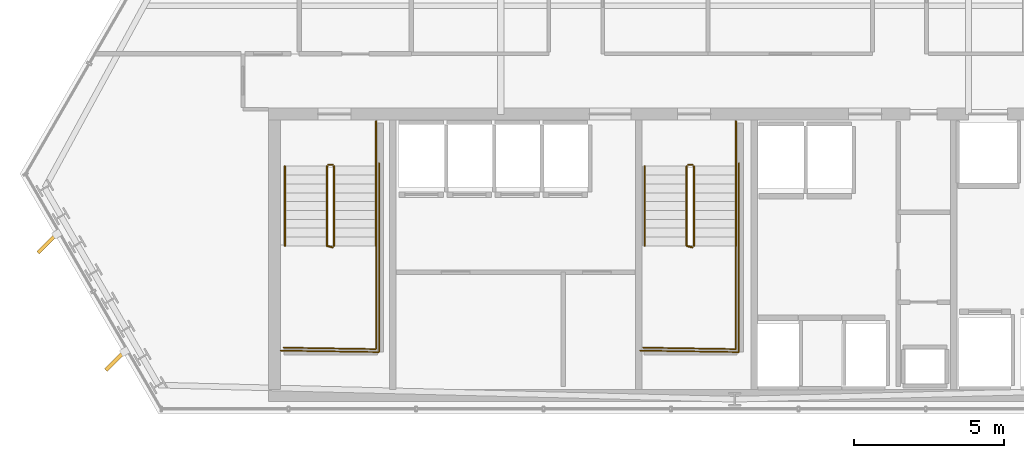
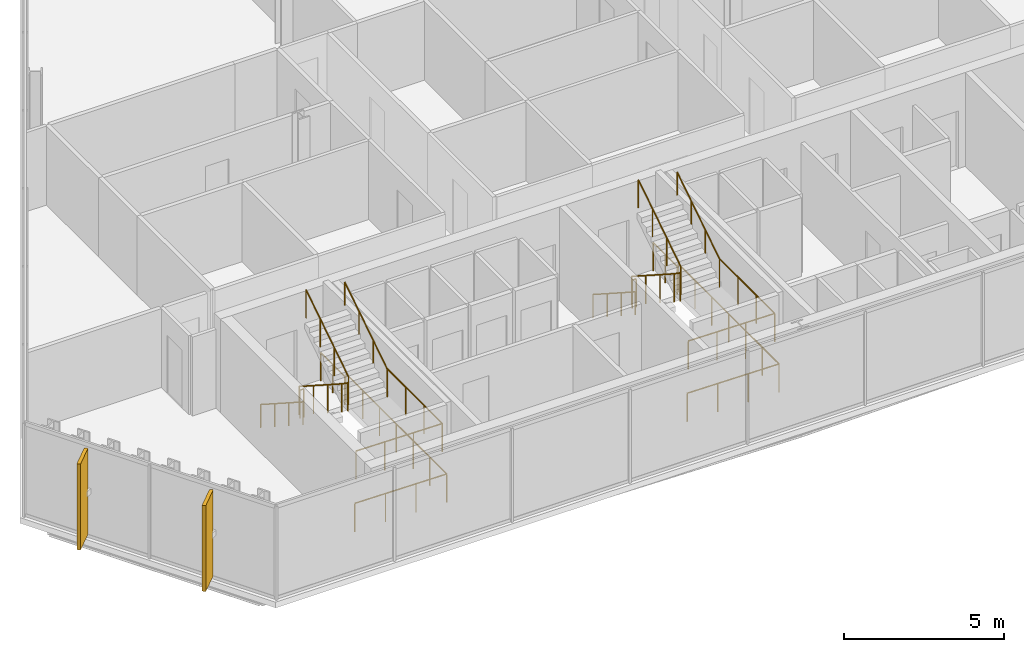
# One storey, part 31 of 34: 16 railings, 2 shading devices.
"""IFC4 building model written with IfcOpenShell, lengths in metres."""

from ifc_helpers import new_model, si_unit, direction, frame, origin, origin_2d, place, context, subcontext, project, spatial, rectangle, circle, extrude, material, layer, layer_set, type_object, element, save


model = new_model("IFC4")

# Units and contexts
model_context = context("Model", 3, precision=1e-05, world=origin(), true_north=direction((0.0, 1.0)))
body_context = subcontext(model_context, "Body", "Model", "MODEL_VIEW")
ifc_project = project(units=[si_unit("LENGTHUNIT", "METRE"), si_unit("AREAUNIT", "SQUARE_METRE"), si_unit("VOLUMEUNIT", "CUBIC_METRE"), si_unit("PLANEANGLEUNIT", "RADIAN"), si_unit("MASSUNIT", "GRAM", prefix="KILO")], contexts=[model_context])

# Site, building, storey
site_placement = place(None, origin())
site = spatial("IfcSite", under=ifc_project, at=site_placement, CompositionType="ELEMENT")
building_placement = place(site_placement, origin())
building = spatial("IfcBuilding", under=site, at=building_placement, Name="Ndaravel Arena Tower", CompositionType="ELEMENT")
storey_placement = place(building_placement, frame((0.0, 0.0, 195.39990234375)))
storey = spatial("IfcBuildingStorey", under=building, at=storey_placement, Name="L47", CompositionType="ELEMENT", Elevation=195.39990234375)

# Railings
ifc_material_1 = material(Name="Steel S355", Category="steel")
ifc_layer_1 = layer(ifc_material_1, 0.06005859375)
ifc_layer_set_1 = layer_set([ifc_layer_1], Name="Steel S355")
railing_type_1 = type_object("IfcRailingType", Name="RAIL-STAIR-GD1100", PredefinedType="GUARDRAIL", material=ifc_layer_set_1)
railing_1_placement = place(storey_placement, frame((28.39990234375, 13.25, 0.190185546875)))
element("IfcRailing", 1, at=railing_1_placement, inside=storey, type_object=railing_type_1, Name="L47 ST-1 stair guard 1", PredefinedType="GUARDRAIL", context=body_context, shape_type="SweptSolid", body=[
    extrude(circle(Radius=0.02392578125, at=origin_2d()), frame((0.0, 0.0, 1.076171875), z_axis=(0.0, -0.840723540582, 0.54146461409), x_axis=(1.0, 0.0, 0.0)), (0.0, 0.0, 1.0), 3.157958984375),
    extrude(circle(Radius=0.02392578125, at=origin_2d()), frame((0.0, -2.655029296875, 2.7861328125), z_axis=(0.967074537263, -0.25449329928, 0.0), x_axis=(0.25449329928, 0.967074537263, 0.0)), (0.0, 0.0, 1.0), 0.19677734375),
    extrude(circle(Radius=0.02099609375, at=origin_2d()), origin(), (0.0, 0.0, 1.0), 1.052001953125),
    extrude(circle(Radius=0.02099609375, at=origin_2d()), frame((0.0, -0.885009765625, 0.570068359375)), (0.0, 0.0, 1.0), 1.052001953125),
    extrude(circle(Radius=0.02099609375, at=origin_2d()), frame((0.0, -1.77001953125, 1.139892578125)), (0.0, 0.0, 1.0), 1.052001953125),
    extrude(circle(Radius=0.02099609375, at=origin_2d()), frame((0.0, -2.655029296875, 1.7099609375)), (0.0, 0.0, 1.0), 1.052001953125),
    extrude(circle(Radius=0.02099609375, at=origin_2d()), frame((0.190185546875, -2.705078125, 1.7099609375)), (0.0, 0.0, 1.0), 1.052001953125),
])
railing_2_placement = place(storey_placement, frame((30.0400390625, 10.594970703125, 1.900146484375)))
element("IfcRailing", 2, at=railing_2_placement, inside=storey, type_object=railing_type_1, Name="L47 ST-1 stair guard 2", PredefinedType="GUARDRAIL", context=body_context, shape_type="SweptSolid", body=[
    extrude(circle(Radius=0.02392578125, at=origin_2d()), frame((0.0, 0.0, 1.076171875), z_axis=(0.0, -1.0, 0.0), x_axis=(1.0, 0.0, 0.0)), (0.0, 0.0, 1.0), 3.445068359375),
    extrude(circle(Radius=0.02392578125, at=origin_2d()), frame((0.0, -3.445068359375, 1.076171875), z_axis=(-0.999868861343, 0.016194447071, 0.0), x_axis=(-0.016194447071, -0.999868861343, 0.0)), (0.0, 0.0, 1.0), 3.090576171875),
    extrude(circle(Radius=0.02099609375, at=origin_2d()), origin(), (0.0, 0.0, 1.0), 1.052001953125),
    extrude(circle(Radius=0.02099609375, at=origin_2d()), frame((0.0, -1.1484375, 0.0)), (0.0, 0.0, 1.0), 1.052001953125),
    extrude(circle(Radius=0.02099609375, at=origin_2d()), frame((0.0, -2.296630859375, 0.0)), (0.0, 0.0, 1.0), 1.052001953125),
    extrude(circle(Radius=0.02099609375, at=origin_2d()), frame((0.0, -3.445068359375, 0.0)), (0.0, 0.0, 1.0), 1.052001953125),
    extrude(circle(Radius=0.02099609375, at=origin_2d()), frame((-1.030029296875, -3.428466796875, 0.0)), (0.0, 0.0, 1.0), 1.052001953125),
    extrude(circle(Radius=0.02099609375, at=origin_2d()), frame((-2.06005859375, -3.41162109375, 0.0)), (0.0, 0.0, 1.0), 1.052001953125),
    extrude(circle(Radius=0.02099609375, at=origin_2d()), frame((-3.090087890625, -3.39501953125, 0.0)), (0.0, 0.0, 1.0), 1.052001953125),
])
railing_3_placement = place(storey_placement, frame((28.639892578125, 10.594970703125, 2.090087890625)))
element("IfcRailing", 3, at=railing_3_placement, inside=storey, type_object=railing_type_1, Name="L47 ST-1 stair guard 3", PredefinedType="GUARDRAIL", context=body_context, shape_type="SweptSolid", body=[
    extrude(circle(Radius=0.02392578125, at=origin_2d()), frame((0.0, 0.0, 1.076171875), z_axis=(0.0, 0.840723540582, 0.54146461409), x_axis=(-1.0, 0.0, 0.0)), (0.0, 0.0, 1.0), 3.157958984375),
    extrude(circle(Radius=0.02099609375, at=origin_2d()), origin(), (0.0, 0.0, 1.0), 1.052001953125),
    extrude(circle(Radius=0.02099609375, at=origin_2d()), frame((0.0, 0.885009765625, 0.570068359375)), (0.0, 0.0, 1.0), 1.052001953125),
    extrude(circle(Radius=0.02099609375, at=origin_2d()), frame((0.0, 1.77001953125, 1.139892578125)), (0.0, 0.0, 1.0), 1.052001953125),
    extrude(circle(Radius=0.02099609375, at=origin_2d()), frame((0.0, 2.655029296875, 1.7099609375)), (0.0, 0.0, 1.0), 1.052001953125),
])
railing_4_placement = place(storey_placement, frame((28.449951171875, 13.300048828125, 0.0)))
element("IfcRailing", 4, at=railing_4_placement, inside=storey, type_object=railing_type_1, Name="L47 ST-1 stair guard 4", PredefinedType="GUARDRAIL", context=body_context, shape_type="SweptSolid", body=[
    extrude(circle(Radius=0.02392578125, at=origin_2d()), frame((0.0, 0.0, 1.076171875), z_axis=(1.0, 0.0, 0.0), x_axis=(0.0, 1.0, 0.0)), (0.0, 0.0, 1.0), 0.14013671875),
    extrude(circle(Radius=0.02099609375, at=origin_2d()), origin(), (0.0, 0.0, 1.0), 1.052001953125),
    extrude(circle(Radius=0.02099609375, at=origin_2d()), frame((0.14013671875, 0.0, 0.0)), (0.0, 0.0, 1.0), 1.052001953125),
])
railing_5_placement = place(storey_placement, frame((30.0400390625, 14.75, 0.0)))
element("IfcRailing", 5, at=railing_5_placement, inside=storey, type_object=railing_type_1, Name="L47 ST-1 stair guard 5", PredefinedType="GUARDRAIL", context=body_context, shape_type="SweptSolid", body=[
    extrude(circle(Radius=0.02392578125, at=origin_2d()), frame((0.0, 0.0, 1.076171875), z_axis=(0.0, -1.0, 0.0), x_axis=(1.0, 0.0, 0.0)), (0.0, 0.0, 1.0), 1.5),
    extrude(circle(Radius=0.02099609375, at=origin_2d()), origin(), (0.0, 0.0, 1.0), 1.052001953125),
    extrude(circle(Radius=0.02099609375, at=origin_2d()), frame((0.0, -0.75, 0.0)), (0.0, 0.0, 1.0), 1.052001953125),
    extrude(circle(Radius=0.02099609375, at=origin_2d()), frame((0.0, -1.5, 0.0)), (0.0, 0.0, 1.0), 1.052001953125),
])
railing_6_placement = place(storey_placement, frame((30.139892578125, 13.35009765625, 0.0)))
element("IfcRailing", 6, at=railing_6_placement, inside=storey, type_object=railing_type_1, Name="L47 ST-1 stair guard 6", PredefinedType="GUARDRAIL", context=body_context, shape_type="SweptSolid", body=[
    extrude(circle(Radius=0.02392578125, at=origin_2d()), frame((0.0, 0.0, 1.076171875), z_axis=(0.0, -1.0, 0.0), x_axis=(1.0, 0.0, 0.0)), (0.0, 0.0, 1.0), 6.300048828125),
    extrude(circle(Radius=0.02392578125, at=origin_2d()), frame((0.0, -6.300048828125, 1.076171875), z_axis=(-0.999884296952, 0.015211597839, 0.0), x_axis=(-0.015211597839, -0.999884296952, 0.0)), (0.0, 0.0, 1.0), 3.290283203125),
    extrude(circle(Radius=0.02099609375, at=origin_2d()), origin(), (0.0, 0.0, 1.0), 1.052001953125),
    extrude(circle(Radius=0.02099609375, at=origin_2d()), frame((0.0, -1.050048828125, 0.0)), (0.0, 0.0, 1.0), 1.052001953125),
    extrude(circle(Radius=0.02099609375, at=origin_2d()), frame((0.0, -2.10009765625, 0.0)), (0.0, 0.0, 1.0), 1.052001953125),
    extrude(circle(Radius=0.02099609375, at=origin_2d()), frame((0.0, -3.14990234375, 0.0)), (0.0, 0.0, 1.0), 1.052001953125),
    extrude(circle(Radius=0.02099609375, at=origin_2d()), frame((0.0, -4.199951171875, 0.0)), (0.0, 0.0, 1.0), 1.052001953125),
    extrude(circle(Radius=0.02099609375, at=origin_2d()), frame((0.0, -5.25, 0.0)), (0.0, 0.0, 1.0), 1.052001953125),
    extrude(circle(Radius=0.02099609375, at=origin_2d()), frame((0.0, -6.300048828125, 0.0)), (0.0, 0.0, 1.0), 1.052001953125),
    extrude(circle(Radius=0.02099609375, at=origin_2d()), frame((-1.0966796875, -6.283447265625, 0.0)), (0.0, 0.0, 1.0), 1.052001953125),
    extrude(circle(Radius=0.02099609375, at=origin_2d()), frame((-2.193115234375, -6.2666015625, 0.0)), (0.0, 0.0, 1.0), 1.052001953125),
    extrude(circle(Radius=0.02099609375, at=origin_2d()), frame((-3.289794921875, -6.25, 0.0)), (0.0, 0.0, 1.0), 1.052001953125),
])
railing_7_placement = place(storey_placement, frame((40.39990234375, 13.25, 0.190185546875)))
element("IfcRailing", 7, at=railing_7_placement, inside=storey, type_object=railing_type_1, Name="L47 ST-2 stair guard 1", PredefinedType="GUARDRAIL", context=body_context, shape_type="SweptSolid", body=[
    extrude(circle(Radius=0.02392578125, at=origin_2d()), frame((0.0, 0.0, 1.076171875), z_axis=(0.0, -0.840723540582, 0.54146461409), x_axis=(1.0, 0.0, 0.0)), (0.0, 0.0, 1.0), 3.157958984375),
    extrude(circle(Radius=0.02392578125, at=origin_2d()), frame((0.0, -2.655029296875, 2.7861328125), z_axis=(0.967074537263, -0.25449329928, 0.0), x_axis=(0.25449329928, 0.967074537263, 0.0)), (0.0, 0.0, 1.0), 0.19677734375),
    extrude(circle(Radius=0.02099609375, at=origin_2d()), origin(), (0.0, 0.0, 1.0), 1.052001953125),
    extrude(circle(Radius=0.02099609375, at=origin_2d()), frame((0.0, -0.885009765625, 0.570068359375)), (0.0, 0.0, 1.0), 1.052001953125),
    extrude(circle(Radius=0.02099609375, at=origin_2d()), frame((0.0, -1.77001953125, 1.139892578125)), (0.0, 0.0, 1.0), 1.052001953125),
    extrude(circle(Radius=0.02099609375, at=origin_2d()), frame((0.0, -2.655029296875, 1.7099609375)), (0.0, 0.0, 1.0), 1.052001953125),
    extrude(circle(Radius=0.02099609375, at=origin_2d()), frame((0.190185546875, -2.705078125, 1.7099609375)), (0.0, 0.0, 1.0), 1.052001953125),
])
railing_8_placement = place(storey_placement, frame((42.0400390625, 10.594970703125, 1.900146484375)))
element("IfcRailing", 8, at=railing_8_placement, inside=storey, type_object=railing_type_1, Name="L47 ST-2 stair guard 2", PredefinedType="GUARDRAIL", context=body_context, shape_type="SweptSolid", body=[
    extrude(circle(Radius=0.02392578125, at=origin_2d()), frame((0.0, 0.0, 1.076171875), z_axis=(0.0, -1.0, 0.0), x_axis=(1.0, 0.0, 0.0)), (0.0, 0.0, 1.0), 3.445068359375),
    extrude(circle(Radius=0.02392578125, at=origin_2d()), frame((0.0, -3.445068359375, 1.076171875), z_axis=(-0.999868861343, 0.016194447071, 0.0), x_axis=(-0.016194447071, -0.999868861343, 0.0)), (0.0, 0.0, 1.0), 3.090576171875),
    extrude(circle(Radius=0.02099609375, at=origin_2d()), origin(), (0.0, 0.0, 1.0), 1.052001953125),
    extrude(circle(Radius=0.02099609375, at=origin_2d()), frame((0.0, -1.1484375, 0.0)), (0.0, 0.0, 1.0), 1.052001953125),
    extrude(circle(Radius=0.02099609375, at=origin_2d()), frame((0.0, -2.296630859375, 0.0)), (0.0, 0.0, 1.0), 1.052001953125),
    extrude(circle(Radius=0.02099609375, at=origin_2d()), frame((0.0, -3.445068359375, 0.0)), (0.0, 0.0, 1.0), 1.052001953125),
    extrude(circle(Radius=0.02099609375, at=origin_2d()), frame((-1.030029296875, -3.428466796875, 0.0)), (0.0, 0.0, 1.0), 1.052001953125),
    extrude(circle(Radius=0.02099609375, at=origin_2d()), frame((-2.06005859375, -3.41162109375, 0.0)), (0.0, 0.0, 1.0), 1.052001953125),
    extrude(circle(Radius=0.02099609375, at=origin_2d()), frame((-3.090087890625, -3.39501953125, 0.0)), (0.0, 0.0, 1.0), 1.052001953125),
])
railing_9_placement = place(storey_placement, frame((40.639892578125, 10.594970703125, 2.090087890625)))
element("IfcRailing", 9, at=railing_9_placement, inside=storey, type_object=railing_type_1, Name="L47 ST-2 stair guard 3", PredefinedType="GUARDRAIL", context=body_context, shape_type="SweptSolid", body=[
    extrude(circle(Radius=0.02392578125, at=origin_2d()), frame((0.0, 0.0, 1.076171875), z_axis=(0.0, 0.840723540582, 0.54146461409), x_axis=(-1.0, 0.0, 0.0)), (0.0, 0.0, 1.0), 3.157958984375),
    extrude(circle(Radius=0.02099609375, at=origin_2d()), origin(), (0.0, 0.0, 1.0), 1.052001953125),
    extrude(circle(Radius=0.02099609375, at=origin_2d()), frame((0.0, 0.885009765625, 0.570068359375)), (0.0, 0.0, 1.0), 1.052001953125),
    extrude(circle(Radius=0.02099609375, at=origin_2d()), frame((0.0, 1.77001953125, 1.139892578125)), (0.0, 0.0, 1.0), 1.052001953125),
    extrude(circle(Radius=0.02099609375, at=origin_2d()), frame((0.0, 2.655029296875, 1.7099609375)), (0.0, 0.0, 1.0), 1.052001953125),
])
railing_10_placement = place(storey_placement, frame((40.449951171875, 13.300048828125, 0.0)))
element("IfcRailing", 10, at=railing_10_placement, inside=storey, type_object=railing_type_1, Name="L47 ST-2 stair guard 4", PredefinedType="GUARDRAIL", context=body_context, shape_type="SweptSolid", body=[
    extrude(circle(Radius=0.02392578125, at=origin_2d()), frame((0.0, 0.0, 1.076171875), z_axis=(1.0, 0.0, 0.0), x_axis=(0.0, 1.0, 0.0)), (0.0, 0.0, 1.0), 0.14013671875),
    extrude(circle(Radius=0.02099609375, at=origin_2d()), origin(), (0.0, 0.0, 1.0), 1.052001953125),
    extrude(circle(Radius=0.02099609375, at=origin_2d()), frame((0.14013671875, 0.0, 0.0)), (0.0, 0.0, 1.0), 1.052001953125),
])
railing_11_placement = place(storey_placement, frame((42.0400390625, 14.75, 0.0)))
element("IfcRailing", 11, at=railing_11_placement, inside=storey, type_object=railing_type_1, Name="L47 ST-2 stair guard 5", PredefinedType="GUARDRAIL", context=body_context, shape_type="SweptSolid", body=[
    extrude(circle(Radius=0.02392578125, at=origin_2d()), frame((0.0, 0.0, 1.076171875), z_axis=(0.0, -1.0, 0.0), x_axis=(1.0, 0.0, 0.0)), (0.0, 0.0, 1.0), 1.5),
    extrude(circle(Radius=0.02099609375, at=origin_2d()), origin(), (0.0, 0.0, 1.0), 1.052001953125),
    extrude(circle(Radius=0.02099609375, at=origin_2d()), frame((0.0, -0.75, 0.0)), (0.0, 0.0, 1.0), 1.052001953125),
    extrude(circle(Radius=0.02099609375, at=origin_2d()), frame((0.0, -1.5, 0.0)), (0.0, 0.0, 1.0), 1.052001953125),
])
railing_12_placement = place(storey_placement, frame((42.139892578125, 13.35009765625, 0.0)))
element("IfcRailing", 12, at=railing_12_placement, inside=storey, type_object=railing_type_1, Name="L47 ST-2 stair guard 6", PredefinedType="GUARDRAIL", context=body_context, shape_type="SweptSolid", body=[
    extrude(circle(Radius=0.02392578125, at=origin_2d()), frame((0.0, 0.0, 1.076171875), z_axis=(0.0, -1.0, 0.0), x_axis=(1.0, 0.0, 0.0)), (0.0, 0.0, 1.0), 6.300048828125),
    extrude(circle(Radius=0.02392578125, at=origin_2d()), frame((0.0, -6.300048828125, 1.076171875), z_axis=(-0.999884296952, 0.015211597839, 0.0), x_axis=(-0.015211597839, -0.999884296952, 0.0)), (0.0, 0.0, 1.0), 3.290283203125),
    extrude(circle(Radius=0.02099609375, at=origin_2d()), origin(), (0.0, 0.0, 1.0), 1.052001953125),
    extrude(circle(Radius=0.02099609375, at=origin_2d()), frame((0.0, -1.050048828125, 0.0)), (0.0, 0.0, 1.0), 1.052001953125),
    extrude(circle(Radius=0.02099609375, at=origin_2d()), frame((0.0, -2.10009765625, 0.0)), (0.0, 0.0, 1.0), 1.052001953125),
    extrude(circle(Radius=0.02099609375, at=origin_2d()), frame((0.0, -3.14990234375, 0.0)), (0.0, 0.0, 1.0), 1.052001953125),
    extrude(circle(Radius=0.02099609375, at=origin_2d()), frame((0.0, -4.199951171875, 0.0)), (0.0, 0.0, 1.0), 1.052001953125),
    extrude(circle(Radius=0.02099609375, at=origin_2d()), frame((0.0, -5.25, 0.0)), (0.0, 0.0, 1.0), 1.052001953125),
    extrude(circle(Radius=0.02099609375, at=origin_2d()), frame((0.0, -6.300048828125, 0.0)), (0.0, 0.0, 1.0), 1.052001953125),
    extrude(circle(Radius=0.02099609375, at=origin_2d()), frame((-1.0966796875, -6.283447265625, 0.0)), (0.0, 0.0, 1.0), 1.052001953125),
    extrude(circle(Radius=0.02099609375, at=origin_2d()), frame((-2.193115234375, -6.2666015625, 0.0)), (0.0, 0.0, 1.0), 1.052001953125),
    extrude(circle(Radius=0.02099609375, at=origin_2d()), frame((-3.289794921875, -6.25, 0.0)), (0.0, 0.0, 1.0), 1.052001953125),
])
ifc_material_2 = material(Name="Steel S355", Category="steel")
ifc_layer_2 = layer(ifc_material_2, 0.050048828125)
ifc_layer_set_2 = layer_set([ifc_layer_2], Name="Steel S355")
railing_type_2 = type_object("IfcRailingType", Name="RAIL-STAIR-HR920", PredefinedType="HANDRAIL", material=ifc_layer_set_2)
railing_13_placement = place(storey_placement, frame((27.0, 13.25, 0.190185546875)))
element("IfcRailing", 13, at=railing_13_placement, inside=storey, type_object=railing_type_2, Name="L47 ST-1 stair handrail 1", PredefinedType="HANDRAIL", context=body_context, shape_type="SweptSolid", body=[
    extrude(circle(Radius=0.02392578125, at=origin_2d()), frame((0.0, 0.0, 0.8759765625), z_axis=(0.0, -0.840723540582, 0.54146461409), x_axis=(1.0, 0.0, 0.0)), (0.0, 0.0, 1.0), 3.157958984375),
    extrude(circle(Radius=0.02099609375, at=origin_2d()), origin(), (0.0, 0.0, 1.0), 0.851806640625),
    extrude(circle(Radius=0.02099609375, at=origin_2d()), frame((0.0, -0.885009765625, 0.570068359375)), (0.0, 0.0, 1.0), 0.851806640625),
    extrude(circle(Radius=0.02099609375, at=origin_2d()), frame((0.0, -1.77001953125, 1.139892578125)), (0.0, 0.0, 1.0), 0.851806640625),
    extrude(circle(Radius=0.02099609375, at=origin_2d()), frame((0.0, -2.655029296875, 1.7099609375)), (0.0, 0.0, 1.0), 0.851806640625),
])
railing_14_placement = place(storey_placement, frame((30.0400390625, 10.594970703125, 2.090087890625)))
element("IfcRailing", 14, at=railing_14_placement, inside=storey, type_object=railing_type_2, Name="L47 ST-1 stair handrail 2", PredefinedType="HANDRAIL", context=body_context, shape_type="SweptSolid", body=[
    extrude(circle(Radius=0.02392578125, at=origin_2d()), frame((0.0, 0.0, 0.8759765625), z_axis=(0.0, 0.840723540582, 0.54146461409), x_axis=(-1.0, 0.0, 0.0)), (0.0, 0.0, 1.0), 3.157958984375),
    extrude(circle(Radius=0.02099609375, at=origin_2d()), origin(), (0.0, 0.0, 1.0), 0.851806640625),
    extrude(circle(Radius=0.02099609375, at=origin_2d()), frame((0.0, 0.885009765625, 0.570068359375)), (0.0, 0.0, 1.0), 0.851806640625),
    extrude(circle(Radius=0.02099609375, at=origin_2d()), frame((0.0, 1.77001953125, 1.139892578125)), (0.0, 0.0, 1.0), 0.851806640625),
    extrude(circle(Radius=0.02099609375, at=origin_2d()), frame((0.0, 2.655029296875, 1.7099609375)), (0.0, 0.0, 1.0), 0.851806640625),
])
railing_15_placement = place(storey_placement, frame((39.0, 13.25, 0.190185546875)))
element("IfcRailing", 15, at=railing_15_placement, inside=storey, type_object=railing_type_2, Name="L47 ST-2 stair handrail 1", PredefinedType="HANDRAIL", context=body_context, shape_type="SweptSolid", body=[
    extrude(circle(Radius=0.02392578125, at=origin_2d()), frame((0.0, 0.0, 0.8759765625), z_axis=(0.0, -0.840723540582, 0.54146461409), x_axis=(1.0, 0.0, 0.0)), (0.0, 0.0, 1.0), 3.157958984375),
    extrude(circle(Radius=0.02099609375, at=origin_2d()), origin(), (0.0, 0.0, 1.0), 0.851806640625),
    extrude(circle(Radius=0.02099609375, at=origin_2d()), frame((0.0, -0.885009765625, 0.570068359375)), (0.0, 0.0, 1.0), 0.851806640625),
    extrude(circle(Radius=0.02099609375, at=origin_2d()), frame((0.0, -1.77001953125, 1.139892578125)), (0.0, 0.0, 1.0), 0.851806640625),
    extrude(circle(Radius=0.02099609375, at=origin_2d()), frame((0.0, -2.655029296875, 1.7099609375)), (0.0, 0.0, 1.0), 0.851806640625),
])
railing_16_placement = place(storey_placement, frame((42.0400390625, 10.594970703125, 2.090087890625)))
element("IfcRailing", 16, at=railing_16_placement, inside=storey, type_object=railing_type_2, Name="L47 ST-2 stair handrail 2", PredefinedType="HANDRAIL", context=body_context, shape_type="SweptSolid", body=[
    extrude(circle(Radius=0.02392578125, at=origin_2d()), frame((0.0, 0.0, 0.8759765625), z_axis=(0.0, 0.840723540582, 0.54146461409), x_axis=(-1.0, 0.0, 0.0)), (0.0, 0.0, 1.0), 3.157958984375),
    extrude(circle(Radius=0.02099609375, at=origin_2d()), origin(), (0.0, 0.0, 1.0), 0.851806640625),
    extrude(circle(Radius=0.02099609375, at=origin_2d()), frame((0.0, 0.885009765625, 0.570068359375)), (0.0, 0.0, 1.0), 0.851806640625),
    extrude(circle(Radius=0.02099609375, at=origin_2d()), frame((0.0, 1.77001953125, 1.139892578125)), (0.0, 0.0, 1.0), 0.851806640625),
    extrude(circle(Radius=0.02099609375, at=origin_2d()), frame((0.0, 2.655029296875, 1.7099609375)), (0.0, 0.0, 1.0), 0.851806640625),
])

# Shading devices
ifc_material_3 = material(Name="Masonry", Category="masonry")
shading_device_type = type_object("IfcShadingDeviceType", Name="SHD-MAZERAS-FIN", PredefinedType="SHUTTER", material=ifc_material_3)
for number, where, z_axis, x_axis, name in (
    (17, (19.08251953125, 10.682861328125, 0.14990234375), (0.0, 0.0, 1.0), (-0.707106781187, -0.707106781187, 0.0), "L47 Mazeras Stone Solar Fin E6.1"),
    (18, (21.343994140625, 6.765869140625, 0.14990234375), (0.0, 0.0, 1.0), (-0.707106781187, -0.707106781187, 0.0), "L47 Mazeras Stone Solar Fin E6.2"),
):
    element("IfcShadingDevice", number, at=place(storey_placement, frame(where, z_axis=z_axis, x_axis=x_axis)), inside=storey, type_object=shading_device_type, Name=name, PredefinedType="SHUTTER", context=body_context, shape_type="SweptSolid", body=[
        extrude(rectangle(XDim=0.89990234375, YDim=0.1201171875, at=origin_2d()), origin(), (0.0, 0.0, 1.0), 3.280029296875),
    ])

save(model, "model.ifc")
